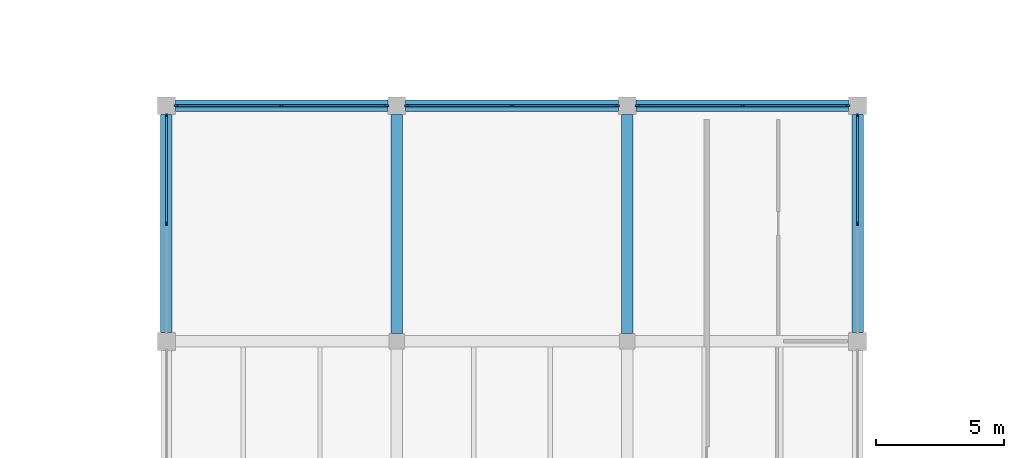
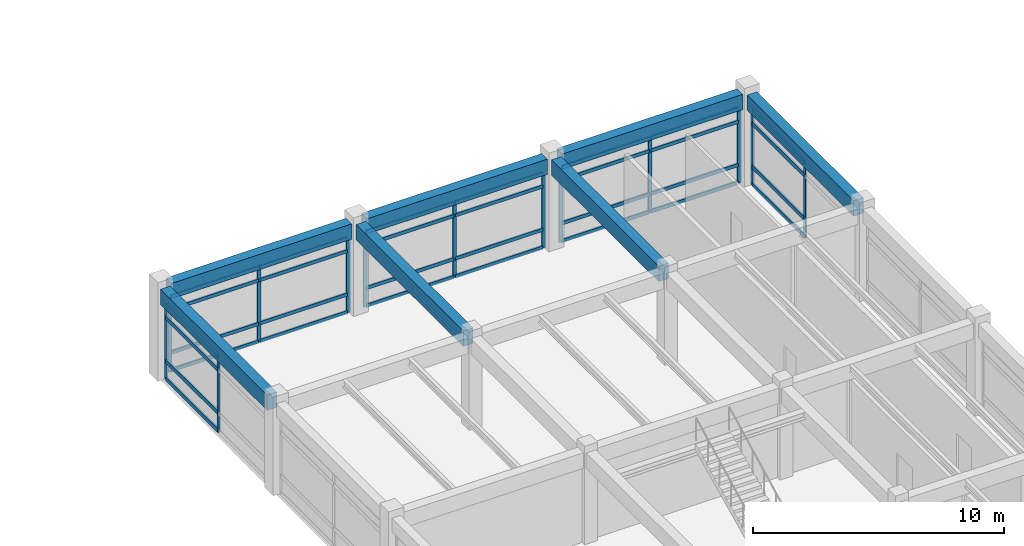
# One storey, part 38 of 90: 45 members, 7 beams, 5 elements without a shape of their own.
"""IFC4 building model written with IfcOpenShell, lengths in metres."""

from ifc_helpers import new_model, si_unit, direction, frame, origin, origin_2d, place, context, subcontext, project, spatial, rectangle, extrude, material, material_profile, profile_set, type_object, element, aggregate, save


model = new_model("IFC4")

# Units and contexts
model_context = context("Model", 3, precision=1e-05, world=origin(), true_north=direction((0.0, 1.0)))
body_context = subcontext(model_context, "Body", "Model", "MODEL_VIEW")
ifc_project = project(units=[si_unit("LENGTHUNIT", "METRE"), si_unit("AREAUNIT", "SQUARE_METRE"), si_unit("VOLUMEUNIT", "CUBIC_METRE"), si_unit("PLANEANGLEUNIT", "RADIAN"), si_unit("MASSUNIT", "GRAM", prefix="KILO")], contexts=[model_context])

# Site, building, storey
site_placement = place(None, origin())
site = spatial("IfcSite", under=ifc_project, at=site_placement, CompositionType="ELEMENT")
building_placement = place(site_placement, origin())
building = spatial("IfcBuilding", under=site, at=building_placement, Name="Bozkorgan Art Gallery", CompositionType="ELEMENT")
storey_placement = place(building_placement, frame((0.0, 0.0, 5.39990234375)))
storey = spatial("IfcBuildingStorey", under=building, at=storey_placement, Name="L01", CompositionType="ELEMENT", Elevation=5.39990234375)

# Beams
ifc_material_1 = material(Name="Concrete C35/45", Category="concrete")
ifc_material_profile_1 = material_profile(ifc_material_1, rectangle(XDim=0.449951171875, YDim=0.75, at=origin_2d()), Name="RC 450x750")
ifc_profile_set_1 = profile_set([ifc_material_profile_1], Name="Concrete C35/45")
beam_type = type_object("IfcBeamType", Name="BEAM-BM-27", PredefinedType="BEAM", material=ifc_profile_set_1)
for number, where, z_axis, x_axis, name in (
    (1, (74.35009765625, 102.800048828125, 4.065185546875), (1.0, 0.0, 0.0), (0.0, 1.0, 0.0), "V4 L01 beam X (74-83, 102.8)"),
    (2, (83.35009765625, 102.800048828125, 4.065185546875), (1.0, 0.0, 0.0), (0.0, 1.0, 0.0), "V4 L01 beam X (83-92, 102.8)"),
    (3, (92.35009765625, 102.800048828125, 4.065185546875), (1.0, 0.0, 0.0), (0.0, 1.0, 0.0), "V4 L01 beam X (92-101, 102.8)"),
):
    element("IfcBeam", number, at=place(storey_placement, frame(where, z_axis=z_axis, x_axis=x_axis)), inside=storey, type_object=beam_type, Name=name, PredefinedType="BEAM", context=body_context, shape_type="SweptSolid", body=[
        extrude(rectangle(XDim=0.449951171875, YDim=0.75, at=origin_2d()), origin(), (0.0, 0.0, 1.0), 8.2998046875),
    ])
beam_1_placement = place(storey_placement, frame((74.0, 93.949951171875, 4.065185546875), z_axis=(0.0, 1.0, 0.0), x_axis=(-1.0, 0.0, 0.0)))
element("IfcBeam", 4, at=beam_1_placement, inside=storey, type_object=beam_type, Name="V4 L01 beam Y (74, 93.6-102.8)", PredefinedType="BEAM", context=body_context, shape_type="SweptSolid", body=[
    extrude(rectangle(XDim=0.449951171875, YDim=0.75, at=origin_2d()), origin(), (0.0, 0.0, 1.0), 8.5),
])
for number, where, z_axis, x_axis, name in (
    (5, (83.0, 93.89990234375, 4.065185546875), (0.0, 1.0, 0.0), (-1.0, 0.0, 0.0), "V4 L01 beam Y (83, 93.6-102.8)"),
    (6, (92.0, 93.89990234375, 4.065185546875), (0.0, 1.0, 0.0), (-1.0, 0.0, 0.0), "V4 L01 beam Y (92, 93.6-102.8)"),
):
    element("IfcBeam", number, at=place(storey_placement, frame(where, z_axis=z_axis, x_axis=x_axis)), inside=storey, type_object=beam_type, Name=name, PredefinedType="BEAM", context=body_context, shape_type="SweptSolid", body=[
        extrude(rectangle(XDim=0.449951171875, YDim=0.75, at=origin_2d()), origin(), (0.0, 0.0, 1.0), 8.550048828125),
    ])
beam_2_placement = place(storey_placement, frame((101.0, 93.949951171875, 4.065185546875), z_axis=(0.0, 1.0, 0.0), x_axis=(-1.0, 0.0, 0.0)))
element("IfcBeam", 7, at=beam_2_placement, inside=storey, type_object=beam_type, Name="V4 L01 beam Y (101, 93.6-102.8)", PredefinedType="BEAM", context=body_context, shape_type="SweptSolid", body=[
    extrude(rectangle(XDim=0.449951171875, YDim=0.75, at=origin_2d()), origin(), (0.0, 0.0, 1.0), 8.5),
])

# Curtain wall, members
ifc_material_2 = material(Name="Anodised Bronze Aluminium", Category="aluminium")
curtain_wall_type_1 = type_object("IfcCurtainWallType", Name="CW-CW-19", PredefinedType="NOTDEFINED", material=ifc_material_2)
curtain_wall_1_placement = place(storey_placement, origin())
curtain_wall_1 = element("IfcCurtainWall", 8, at=curtain_wall_1_placement, inside=storey, type_object=curtain_wall_type_1, Name="L01 unitised curtain wall CW-V4-L01-1N-02", PredefinedType="NOTDEFINED")
ifc_material_profile_2 = material_profile(ifc_material_2, rectangle(XDim=0.06494140625, YDim=0.179931640625, at=origin_2d()), Name="ALU MULLION 65x180")
ifc_profile_set_2 = profile_set([ifc_material_profile_2], Name="Anodised Bronze Aluminium")
member_type_1 = type_object("IfcMemberType", Name="CWM-01", PredefinedType="MULLION", material=ifc_profile_set_2)
member_1_placement = place(storey_placement, frame((74.3974609375, 102.800048828125, 0.02001953125), z_axis=(0.0, 0.0, 1.0), x_axis=(0.0, 1.0, 0.0)))
member_1 = element("IfcMember", 9, at=member_1_placement, type_object=member_type_1, Name="CW-19 mullion 1", PredefinedType="MULLION", context=body_context, shape_type="SweptSolid", body=[
    extrude(rectangle(XDim=0.06494140625, YDim=0.179931640625, at=origin_2d()), origin(), (0.0, 0.0, 1.0), 3.655029296875),
])
member_2_placement = place(storey_placement, frame((78.5, 102.800048828125, 0.02001953125), z_axis=(0.0, 0.0, 1.0), x_axis=(0.0, 1.0, 0.0)))
member_2 = element("IfcMember", 10, at=member_2_placement, type_object=member_type_1, Name="CW-19 mullion 2", PredefinedType="MULLION", context=body_context, shape_type="SweptSolid", body=[
    extrude(rectangle(XDim=0.06494140625, YDim=0.179931640625, at=origin_2d()), origin(), (0.0, 0.0, 1.0), 3.655029296875),
])
member_3_placement = place(storey_placement, frame((82.6025390625, 102.800048828125, 0.02001953125), z_axis=(0.0, 0.0, 1.0), x_axis=(0.0, 1.0, 0.0)))
member_3 = element("IfcMember", 11, at=member_3_placement, type_object=member_type_1, Name="CW-19 mullion 3", PredefinedType="MULLION", context=body_context, shape_type="SweptSolid", body=[
    extrude(rectangle(XDim=0.06494140625, YDim=0.179931640625, at=origin_2d()), origin(), (0.0, 0.0, 1.0), 3.655029296875),
])

curtain_wall_2_placement = place(storey_placement, origin())
curtain_wall_2 = element("IfcCurtainWall", 12, at=curtain_wall_2_placement, inside=storey, type_object=curtain_wall_type_1, Name="L01 unitised curtain wall CW-V4-L01-1N-04", PredefinedType="NOTDEFINED")
member_4_placement = place(storey_placement, frame((83.3974609375, 102.800048828125, 0.02001953125), z_axis=(0.0, 0.0, 1.0), x_axis=(0.0, 1.0, 0.0)))
member_4 = element("IfcMember", 13, at=member_4_placement, type_object=member_type_1, Name="CW-19 mullion 1", PredefinedType="MULLION", context=body_context, shape_type="SweptSolid", body=[
    extrude(rectangle(XDim=0.06494140625, YDim=0.179931640625, at=origin_2d()), origin(), (0.0, 0.0, 1.0), 3.655029296875),
])
member_5_placement = place(storey_placement, frame((87.5, 102.800048828125, 0.02001953125), z_axis=(0.0, 0.0, 1.0), x_axis=(0.0, 1.0, 0.0)))
member_5 = element("IfcMember", 14, at=member_5_placement, type_object=member_type_1, Name="CW-19 mullion 2", PredefinedType="MULLION", context=body_context, shape_type="SweptSolid", body=[
    extrude(rectangle(XDim=0.06494140625, YDim=0.179931640625, at=origin_2d()), origin(), (0.0, 0.0, 1.0), 3.655029296875),
])
member_6_placement = place(storey_placement, frame((91.6025390625, 102.800048828125, 0.02001953125), z_axis=(0.0, 0.0, 1.0), x_axis=(0.0, 1.0, 0.0)))
member_6 = element("IfcMember", 15, at=member_6_placement, type_object=member_type_1, Name="CW-19 mullion 3", PredefinedType="MULLION", context=body_context, shape_type="SweptSolid", body=[
    extrude(rectangle(XDim=0.06494140625, YDim=0.179931640625, at=origin_2d()), origin(), (0.0, 0.0, 1.0), 3.655029296875),
])

curtain_wall_3_placement = place(storey_placement, origin())
curtain_wall_3 = element("IfcCurtainWall", 16, at=curtain_wall_3_placement, inside=storey, type_object=curtain_wall_type_1, Name="L01 unitised curtain wall CW-V4-L01-1N-06", PredefinedType="NOTDEFINED")
member_7_placement = place(storey_placement, frame((92.3974609375, 102.800048828125, 0.02001953125), z_axis=(0.0, 0.0, 1.0), x_axis=(0.0, 1.0, 0.0)))
member_7 = element("IfcMember", 17, at=member_7_placement, type_object=member_type_1, Name="CW-19 mullion 1", PredefinedType="MULLION", context=body_context, shape_type="SweptSolid", body=[
    extrude(rectangle(XDim=0.06494140625, YDim=0.179931640625, at=origin_2d()), origin(), (0.0, 0.0, 1.0), 3.655029296875),
])
member_8_placement = place(storey_placement, frame((96.5, 102.800048828125, 0.02001953125), z_axis=(0.0, 0.0, 1.0), x_axis=(0.0, 1.0, 0.0)))
member_8 = element("IfcMember", 18, at=member_8_placement, type_object=member_type_1, Name="CW-19 mullion 2", PredefinedType="MULLION", context=body_context, shape_type="SweptSolid", body=[
    extrude(rectangle(XDim=0.06494140625, YDim=0.179931640625, at=origin_2d()), origin(), (0.0, 0.0, 1.0), 3.655029296875),
])
member_9_placement = place(storey_placement, frame((100.6025390625, 102.800048828125, 0.02001953125), z_axis=(0.0, 0.0, 1.0), x_axis=(0.0, 1.0, 0.0)))
member_9 = element("IfcMember", 19, at=member_9_placement, type_object=member_type_1, Name="CW-19 mullion 3", PredefinedType="MULLION", context=body_context, shape_type="SweptSolid", body=[
    extrude(rectangle(XDim=0.06494140625, YDim=0.179931640625, at=origin_2d()), origin(), (0.0, 0.0, 1.0), 3.655029296875),
])

curtain_wall_type_2 = type_object("IfcCurtainWallType", Name="CW-CW-16", PredefinedType="NOTDEFINED", material=ifc_material_2)
curtain_wall_4_placement = place(storey_placement, origin())
curtain_wall_4 = element("IfcCurtainWall", 20, at=curtain_wall_4_placement, inside=storey, type_object=curtain_wall_type_2, Name="L01 unitised curtain wall CW-V4-L01-1W-19", PredefinedType="NOTDEFINED")
member_10_placement = place(storey_placement, frame((74.0, 98.199951171875, 0.02001953125), z_axis=(0.0, 0.0, 1.0), x_axis=(-1.0, 0.0, 0.0)))
member_10 = element("IfcMember", 21, at=member_10_placement, type_object=member_type_1, Name="CW-16 mullion 2", PredefinedType="MULLION", context=body_context, shape_type="SweptSolid", body=[
    extrude(rectangle(XDim=0.06494140625, YDim=0.179931640625, at=origin_2d()), origin(), (0.0, 0.0, 1.0), 3.655029296875),
])
member_11_placement = place(storey_placement, frame((74.0, 102.402587890625, 0.02001953125), z_axis=(0.0, 0.0, 1.0), x_axis=(-1.0, 0.0, 0.0)))
member_11 = element("IfcMember", 22, at=member_11_placement, type_object=member_type_1, Name="CW-16 mullion 3", PredefinedType="MULLION", context=body_context, shape_type="SweptSolid", body=[
    extrude(rectangle(XDim=0.06494140625, YDim=0.179931640625, at=origin_2d()), origin(), (0.0, 0.0, 1.0), 3.655029296875),
])

curtain_wall_5_placement = place(storey_placement, origin())
curtain_wall_5 = element("IfcCurtainWall", 23, at=curtain_wall_5_placement, inside=storey, type_object=curtain_wall_type_2, Name="L01 unitised curtain wall CW-V4-L01-1E-20", PredefinedType="NOTDEFINED")
member_12_placement = place(storey_placement, frame((101.0, 98.199951171875, 0.02001953125), z_axis=(0.0, 0.0, 1.0), x_axis=(-1.0, 0.0, 0.0)))
member_12 = element("IfcMember", 24, at=member_12_placement, type_object=member_type_1, Name="CW-16 mullion 2", PredefinedType="MULLION", context=body_context, shape_type="SweptSolid", body=[
    extrude(rectangle(XDim=0.06494140625, YDim=0.179931640625, at=origin_2d()), origin(), (0.0, 0.0, 1.0), 3.655029296875),
])
member_13_placement = place(storey_placement, frame((101.0, 102.402587890625, 0.02001953125), z_axis=(0.0, 0.0, 1.0), x_axis=(-1.0, 0.0, 0.0)))
member_13 = element("IfcMember", 25, at=member_13_placement, type_object=member_type_1, Name="CW-16 mullion 3", PredefinedType="MULLION", context=body_context, shape_type="SweptSolid", body=[
    extrude(rectangle(XDim=0.06494140625, YDim=0.179931640625, at=origin_2d()), origin(), (0.0, 0.0, 1.0), 3.655029296875),
])

# Member
ifc_material_profile_3 = material_profile(ifc_material_2, rectangle(XDim=0.074951171875, YDim=0.169921875, at=origin_2d()), Name="ALU TRANSOM 75x170")
ifc_profile_set_3 = profile_set([ifc_material_profile_3], Name="Anodised Bronze Aluminium")
member_type_2 = type_object("IfcMemberType", Name="CWT-02", PredefinedType="USERDEFINED", material=ifc_profile_set_3)
member_14_placement = place(storey_placement, frame((74.429931640625, 102.800048828125, 0.0576171875), z_axis=(1.0, 0.0, 0.0), x_axis=(0.0, 1.0, 0.0)))
member_14 = element("IfcMember", 26, at=member_14_placement, type_object=member_type_2, Name="CW-19 transom 1.1", ObjectType="TRANSOM", PredefinedType="USERDEFINED", context=body_context, shape_type="SweptSolid", body=[
    extrude(rectangle(XDim=0.074951171875, YDim=0.169921875, at=origin_2d()), origin(), (0.0, 0.0, 1.0), 4.03759765625),
])

member_15_placement = place(storey_placement, frame((74.429931640625, 102.800048828125, 0.920166015625), z_axis=(1.0, 0.0, 0.0), x_axis=(0.0, 1.0, 0.0)))
member_15 = element("IfcMember", 27, at=member_15_placement, type_object=member_type_2, Name="CW-19 transom 1.2", ObjectType="TRANSOM", PredefinedType="USERDEFINED", context=body_context, shape_type="SweptSolid", body=[
    extrude(rectangle(XDim=0.074951171875, YDim=0.169921875, at=origin_2d()), origin(), (0.0, 0.0, 1.0), 4.03759765625),
])

member_16_placement = place(storey_placement, frame((74.429931640625, 102.800048828125, 3.025146484375), z_axis=(1.0, 0.0, 0.0), x_axis=(0.0, 1.0, 0.0)))
member_16 = element("IfcMember", 28, at=member_16_placement, type_object=member_type_2, Name="CW-19 transom 1.3", ObjectType="TRANSOM", PredefinedType="USERDEFINED", context=body_context, shape_type="SweptSolid", body=[
    extrude(rectangle(XDim=0.074951171875, YDim=0.169921875, at=origin_2d()), origin(), (0.0, 0.0, 1.0), 4.03759765625),
])

member_17_placement = place(storey_placement, frame((74.429931640625, 102.800048828125, 3.6376953125), z_axis=(1.0, 0.0, 0.0), x_axis=(0.0, 1.0, 0.0)))
member_17 = element("IfcMember", 29, at=member_17_placement, type_object=member_type_2, Name="CW-19 transom 1.4", ObjectType="TRANSOM", PredefinedType="USERDEFINED", context=body_context, shape_type="SweptSolid", body=[
    extrude(rectangle(XDim=0.074951171875, YDim=0.169921875, at=origin_2d()), origin(), (0.0, 0.0, 1.0), 4.03759765625),
])

member_18_placement = place(storey_placement, frame((78.532470703125, 102.800048828125, 0.0576171875), z_axis=(1.0, 0.0, 0.0), x_axis=(0.0, 1.0, 0.0)))
member_18 = element("IfcMember", 30, at=member_18_placement, type_object=member_type_2, Name="CW-19 transom 2.1", ObjectType="TRANSOM", PredefinedType="USERDEFINED", context=body_context, shape_type="SweptSolid", body=[
    extrude(rectangle(XDim=0.074951171875, YDim=0.169921875, at=origin_2d()), origin(), (0.0, 0.0, 1.0), 4.03759765625),
])

member_19_placement = place(storey_placement, frame((78.532470703125, 102.800048828125, 0.920166015625), z_axis=(1.0, 0.0, 0.0), x_axis=(0.0, 1.0, 0.0)))
member_19 = element("IfcMember", 31, at=member_19_placement, type_object=member_type_2, Name="CW-19 transom 2.2", ObjectType="TRANSOM", PredefinedType="USERDEFINED", context=body_context, shape_type="SweptSolid", body=[
    extrude(rectangle(XDim=0.074951171875, YDim=0.169921875, at=origin_2d()), origin(), (0.0, 0.0, 1.0), 4.03759765625),
])

member_20_placement = place(storey_placement, frame((78.532470703125, 102.800048828125, 3.025146484375), z_axis=(1.0, 0.0, 0.0), x_axis=(0.0, 1.0, 0.0)))
member_20 = element("IfcMember", 32, at=member_20_placement, type_object=member_type_2, Name="CW-19 transom 2.3", ObjectType="TRANSOM", PredefinedType="USERDEFINED", context=body_context, shape_type="SweptSolid", body=[
    extrude(rectangle(XDim=0.074951171875, YDim=0.169921875, at=origin_2d()), origin(), (0.0, 0.0, 1.0), 4.03759765625),
])

member_21_placement = place(storey_placement, frame((78.532470703125, 102.800048828125, 3.6376953125), z_axis=(1.0, 0.0, 0.0), x_axis=(0.0, 1.0, 0.0)))
member_21 = element("IfcMember", 33, at=member_21_placement, type_object=member_type_2, Name="CW-19 transom 2.4", ObjectType="TRANSOM", PredefinedType="USERDEFINED", context=body_context, shape_type="SweptSolid", body=[
    extrude(rectangle(XDim=0.074951171875, YDim=0.169921875, at=origin_2d()), origin(), (0.0, 0.0, 1.0), 4.03759765625),
])

aggregate(curtain_wall_1, [member_1, member_2, member_3, member_14, member_15, member_16, member_17, member_18, member_19, member_20, member_21])

member_22_placement = place(storey_placement, frame((83.429931640625, 102.800048828125, 0.0576171875), z_axis=(1.0, 0.0, 0.0), x_axis=(0.0, 1.0, 0.0)))
member_22 = element("IfcMember", 34, at=member_22_placement, type_object=member_type_2, Name="CW-19 transom 1.1", ObjectType="TRANSOM", PredefinedType="USERDEFINED", context=body_context, shape_type="SweptSolid", body=[
    extrude(rectangle(XDim=0.074951171875, YDim=0.169921875, at=origin_2d()), origin(), (0.0, 0.0, 1.0), 4.03759765625),
])

member_23_placement = place(storey_placement, frame((83.429931640625, 102.800048828125, 0.920166015625), z_axis=(1.0, 0.0, 0.0), x_axis=(0.0, 1.0, 0.0)))
member_23 = element("IfcMember", 35, at=member_23_placement, type_object=member_type_2, Name="CW-19 transom 1.2", ObjectType="TRANSOM", PredefinedType="USERDEFINED", context=body_context, shape_type="SweptSolid", body=[
    extrude(rectangle(XDim=0.074951171875, YDim=0.169921875, at=origin_2d()), origin(), (0.0, 0.0, 1.0), 4.03759765625),
])

member_24_placement = place(storey_placement, frame((83.429931640625, 102.800048828125, 3.025146484375), z_axis=(1.0, 0.0, 0.0), x_axis=(0.0, 1.0, 0.0)))
member_24 = element("IfcMember", 36, at=member_24_placement, type_object=member_type_2, Name="CW-19 transom 1.3", ObjectType="TRANSOM", PredefinedType="USERDEFINED", context=body_context, shape_type="SweptSolid", body=[
    extrude(rectangle(XDim=0.074951171875, YDim=0.169921875, at=origin_2d()), origin(), (0.0, 0.0, 1.0), 4.03759765625),
])

member_25_placement = place(storey_placement, frame((83.429931640625, 102.800048828125, 3.6376953125), z_axis=(1.0, 0.0, 0.0), x_axis=(0.0, 1.0, 0.0)))
member_25 = element("IfcMember", 37, at=member_25_placement, type_object=member_type_2, Name="CW-19 transom 1.4", ObjectType="TRANSOM", PredefinedType="USERDEFINED", context=body_context, shape_type="SweptSolid", body=[
    extrude(rectangle(XDim=0.074951171875, YDim=0.169921875, at=origin_2d()), origin(), (0.0, 0.0, 1.0), 4.03759765625),
])

member_26_placement = place(storey_placement, frame((87.532470703125, 102.800048828125, 0.0576171875), z_axis=(1.0, 0.0, 0.0), x_axis=(0.0, 1.0, 0.0)))
member_26 = element("IfcMember", 38, at=member_26_placement, type_object=member_type_2, Name="CW-19 transom 2.1", ObjectType="TRANSOM", PredefinedType="USERDEFINED", context=body_context, shape_type="SweptSolid", body=[
    extrude(rectangle(XDim=0.074951171875, YDim=0.169921875, at=origin_2d()), origin(), (0.0, 0.0, 1.0), 4.03759765625),
])

member_27_placement = place(storey_placement, frame((87.532470703125, 102.800048828125, 0.920166015625), z_axis=(1.0, 0.0, 0.0), x_axis=(0.0, 1.0, 0.0)))
member_27 = element("IfcMember", 39, at=member_27_placement, type_object=member_type_2, Name="CW-19 transom 2.2", ObjectType="TRANSOM", PredefinedType="USERDEFINED", context=body_context, shape_type="SweptSolid", body=[
    extrude(rectangle(XDim=0.074951171875, YDim=0.169921875, at=origin_2d()), origin(), (0.0, 0.0, 1.0), 4.03759765625),
])

member_28_placement = place(storey_placement, frame((87.532470703125, 102.800048828125, 3.025146484375), z_axis=(1.0, 0.0, 0.0), x_axis=(0.0, 1.0, 0.0)))
member_28 = element("IfcMember", 40, at=member_28_placement, type_object=member_type_2, Name="CW-19 transom 2.3", ObjectType="TRANSOM", PredefinedType="USERDEFINED", context=body_context, shape_type="SweptSolid", body=[
    extrude(rectangle(XDim=0.074951171875, YDim=0.169921875, at=origin_2d()), origin(), (0.0, 0.0, 1.0), 4.03759765625),
])

member_29_placement = place(storey_placement, frame((87.532470703125, 102.800048828125, 3.6376953125), z_axis=(1.0, 0.0, 0.0), x_axis=(0.0, 1.0, 0.0)))
member_29 = element("IfcMember", 41, at=member_29_placement, type_object=member_type_2, Name="CW-19 transom 2.4", ObjectType="TRANSOM", PredefinedType="USERDEFINED", context=body_context, shape_type="SweptSolid", body=[
    extrude(rectangle(XDim=0.074951171875, YDim=0.169921875, at=origin_2d()), origin(), (0.0, 0.0, 1.0), 4.03759765625),
])

aggregate(curtain_wall_2, [member_4, member_5, member_6, member_22, member_23, member_24, member_25, member_26, member_27, member_28, member_29])

member_30_placement = place(storey_placement, frame((92.429931640625, 102.800048828125, 0.0576171875), z_axis=(1.0, 0.0, 0.0), x_axis=(0.0, 1.0, 0.0)))
member_30 = element("IfcMember", 42, at=member_30_placement, type_object=member_type_2, Name="CW-19 transom 1.1", ObjectType="TRANSOM", PredefinedType="USERDEFINED", context=body_context, shape_type="SweptSolid", body=[
    extrude(rectangle(XDim=0.074951171875, YDim=0.169921875, at=origin_2d()), origin(), (0.0, 0.0, 1.0), 4.03759765625),
])

member_31_placement = place(storey_placement, frame((92.429931640625, 102.800048828125, 0.920166015625), z_axis=(1.0, 0.0, 0.0), x_axis=(0.0, 1.0, 0.0)))
member_31 = element("IfcMember", 43, at=member_31_placement, type_object=member_type_2, Name="CW-19 transom 1.2", ObjectType="TRANSOM", PredefinedType="USERDEFINED", context=body_context, shape_type="SweptSolid", body=[
    extrude(rectangle(XDim=0.074951171875, YDim=0.169921875, at=origin_2d()), origin(), (0.0, 0.0, 1.0), 4.03759765625),
])

member_32_placement = place(storey_placement, frame((92.429931640625, 102.800048828125, 3.025146484375), z_axis=(1.0, 0.0, 0.0), x_axis=(0.0, 1.0, 0.0)))
member_32 = element("IfcMember", 44, at=member_32_placement, type_object=member_type_2, Name="CW-19 transom 1.3", ObjectType="TRANSOM", PredefinedType="USERDEFINED", context=body_context, shape_type="SweptSolid", body=[
    extrude(rectangle(XDim=0.074951171875, YDim=0.169921875, at=origin_2d()), origin(), (0.0, 0.0, 1.0), 4.03759765625),
])

member_33_placement = place(storey_placement, frame((92.429931640625, 102.800048828125, 3.6376953125), z_axis=(1.0, 0.0, 0.0), x_axis=(0.0, 1.0, 0.0)))
member_33 = element("IfcMember", 45, at=member_33_placement, type_object=member_type_2, Name="CW-19 transom 1.4", ObjectType="TRANSOM", PredefinedType="USERDEFINED", context=body_context, shape_type="SweptSolid", body=[
    extrude(rectangle(XDim=0.074951171875, YDim=0.169921875, at=origin_2d()), origin(), (0.0, 0.0, 1.0), 4.03759765625),
])

member_34_placement = place(storey_placement, frame((96.532470703125, 102.800048828125, 0.0576171875), z_axis=(1.0, 0.0, 0.0), x_axis=(0.0, 1.0, 0.0)))
member_34 = element("IfcMember", 46, at=member_34_placement, type_object=member_type_2, Name="CW-19 transom 2.1", ObjectType="TRANSOM", PredefinedType="USERDEFINED", context=body_context, shape_type="SweptSolid", body=[
    extrude(rectangle(XDim=0.074951171875, YDim=0.169921875, at=origin_2d()), origin(), (0.0, 0.0, 1.0), 4.03759765625),
])

member_35_placement = place(storey_placement, frame((96.532470703125, 102.800048828125, 0.920166015625), z_axis=(1.0, 0.0, 0.0), x_axis=(0.0, 1.0, 0.0)))
member_35 = element("IfcMember", 47, at=member_35_placement, type_object=member_type_2, Name="CW-19 transom 2.2", ObjectType="TRANSOM", PredefinedType="USERDEFINED", context=body_context, shape_type="SweptSolid", body=[
    extrude(rectangle(XDim=0.074951171875, YDim=0.169921875, at=origin_2d()), origin(), (0.0, 0.0, 1.0), 4.03759765625),
])

member_36_placement = place(storey_placement, frame((96.532470703125, 102.800048828125, 3.025146484375), z_axis=(1.0, 0.0, 0.0), x_axis=(0.0, 1.0, 0.0)))
member_36 = element("IfcMember", 48, at=member_36_placement, type_object=member_type_2, Name="CW-19 transom 2.3", ObjectType="TRANSOM", PredefinedType="USERDEFINED", context=body_context, shape_type="SweptSolid", body=[
    extrude(rectangle(XDim=0.074951171875, YDim=0.169921875, at=origin_2d()), origin(), (0.0, 0.0, 1.0), 4.03759765625),
])

member_37_placement = place(storey_placement, frame((96.532470703125, 102.800048828125, 3.6376953125), z_axis=(1.0, 0.0, 0.0), x_axis=(0.0, 1.0, 0.0)))
member_37 = element("IfcMember", 49, at=member_37_placement, type_object=member_type_2, Name="CW-19 transom 2.4", ObjectType="TRANSOM", PredefinedType="USERDEFINED", context=body_context, shape_type="SweptSolid", body=[
    extrude(rectangle(XDim=0.074951171875, YDim=0.169921875, at=origin_2d()), origin(), (0.0, 0.0, 1.0), 4.03759765625),
])

aggregate(curtain_wall_3, [member_7, member_8, member_9, member_30, member_31, member_32, member_33, member_34, member_35, member_36, member_37])

ifc_material_profile_4 = material_profile(ifc_material_2, rectangle(XDim=0.080078125, YDim=0.199951171875, at=origin_2d()), Name="ALU TRANSOM 80x200")
ifc_profile_set_4 = profile_set([ifc_material_profile_4], Name="Anodised Bronze Aluminium")
member_type_3 = type_object("IfcMemberType", Name="CWT-03", PredefinedType="USERDEFINED", material=ifc_profile_set_4)
member_38_placement = place(storey_placement, frame((74.0, 98.232421875, 0.06005859375), z_axis=(0.0, 1.0, 0.0), x_axis=(-1.0, 0.0, 0.0)))
member_38 = element("IfcMember", 50, at=member_38_placement, type_object=member_type_3, Name="CW-16 transom 2.1", ObjectType="TRANSOM", PredefinedType="USERDEFINED", context=body_context, shape_type="SweptSolid", body=[
    extrude(rectangle(XDim=0.080078125, YDim=0.199951171875, at=origin_2d()), origin(), (0.0, 0.0, 1.0), 4.1376953125),
])

member_39_placement = place(storey_placement, frame((74.0, 98.232421875, 0.920166015625), z_axis=(0.0, 1.0, 0.0), x_axis=(-1.0, 0.0, 0.0)))
member_39 = element("IfcMember", 51, at=member_39_placement, type_object=member_type_3, Name="CW-16 transom 2.2", ObjectType="TRANSOM", PredefinedType="USERDEFINED", context=body_context, shape_type="SweptSolid", body=[
    extrude(rectangle(XDim=0.080078125, YDim=0.199951171875, at=origin_2d()), origin(), (0.0, 0.0, 1.0), 4.1376953125),
])

member_40_placement = place(storey_placement, frame((74.0, 98.232421875, 3.025146484375), z_axis=(0.0, 1.0, 0.0), x_axis=(-1.0, 0.0, 0.0)))
member_40 = element("IfcMember", 52, at=member_40_placement, type_object=member_type_3, Name="CW-16 transom 2.3", ObjectType="TRANSOM", PredefinedType="USERDEFINED", context=body_context, shape_type="SweptSolid", body=[
    extrude(rectangle(XDim=0.080078125, YDim=0.199951171875, at=origin_2d()), origin(), (0.0, 0.0, 1.0), 4.1376953125),
])

member_41_placement = place(storey_placement, frame((74.0, 98.232421875, 3.635009765625), z_axis=(0.0, 1.0, 0.0), x_axis=(-1.0, 0.0, 0.0)))
member_41 = element("IfcMember", 53, at=member_41_placement, type_object=member_type_3, Name="CW-16 transom 2.4", ObjectType="TRANSOM", PredefinedType="USERDEFINED", context=body_context, shape_type="SweptSolid", body=[
    extrude(rectangle(XDim=0.080078125, YDim=0.199951171875, at=origin_2d()), origin(), (0.0, 0.0, 1.0), 4.1376953125),
])

aggregate(curtain_wall_4, [member_10, member_11, member_38, member_39, member_40, member_41])

member_42_placement = place(storey_placement, frame((101.0, 98.232421875, 0.06005859375), z_axis=(0.0, 1.0, 0.0), x_axis=(-1.0, 0.0, 0.0)))
member_42 = element("IfcMember", 54, at=member_42_placement, type_object=member_type_3, Name="CW-16 transom 2.1", ObjectType="TRANSOM", PredefinedType="USERDEFINED", context=body_context, shape_type="SweptSolid", body=[
    extrude(rectangle(XDim=0.080078125, YDim=0.199951171875, at=origin_2d()), origin(), (0.0, 0.0, 1.0), 4.1376953125),
])

member_43_placement = place(storey_placement, frame((101.0, 98.232421875, 0.920166015625), z_axis=(0.0, 1.0, 0.0), x_axis=(-1.0, 0.0, 0.0)))
member_43 = element("IfcMember", 55, at=member_43_placement, type_object=member_type_3, Name="CW-16 transom 2.2", ObjectType="TRANSOM", PredefinedType="USERDEFINED", context=body_context, shape_type="SweptSolid", body=[
    extrude(rectangle(XDim=0.080078125, YDim=0.199951171875, at=origin_2d()), origin(), (0.0, 0.0, 1.0), 4.1376953125),
])

member_44_placement = place(storey_placement, frame((101.0, 98.232421875, 3.025146484375), z_axis=(0.0, 1.0, 0.0), x_axis=(-1.0, 0.0, 0.0)))
member_44 = element("IfcMember", 56, at=member_44_placement, type_object=member_type_3, Name="CW-16 transom 2.3", ObjectType="TRANSOM", PredefinedType="USERDEFINED", context=body_context, shape_type="SweptSolid", body=[
    extrude(rectangle(XDim=0.080078125, YDim=0.199951171875, at=origin_2d()), origin(), (0.0, 0.0, 1.0), 4.1376953125),
])

member_45_placement = place(storey_placement, frame((101.0, 98.232421875, 3.635009765625), z_axis=(0.0, 1.0, 0.0), x_axis=(-1.0, 0.0, 0.0)))
member_45 = element("IfcMember", 57, at=member_45_placement, type_object=member_type_3, Name="CW-16 transom 2.4", ObjectType="TRANSOM", PredefinedType="USERDEFINED", context=body_context, shape_type="SweptSolid", body=[
    extrude(rectangle(XDim=0.080078125, YDim=0.199951171875, at=origin_2d()), origin(), (0.0, 0.0, 1.0), 4.1376953125),
])

aggregate(curtain_wall_5, [member_12, member_13, member_42, member_43, member_44, member_45])

save(model, "model.ifc")
